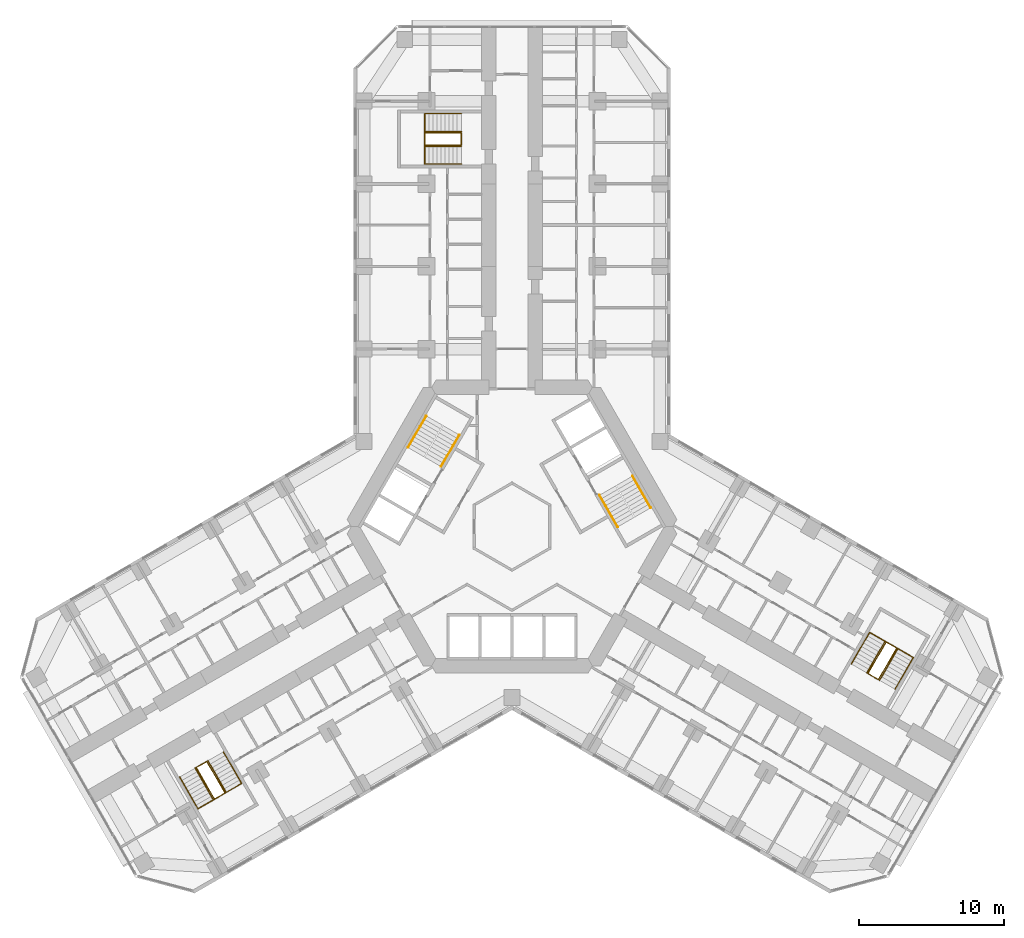
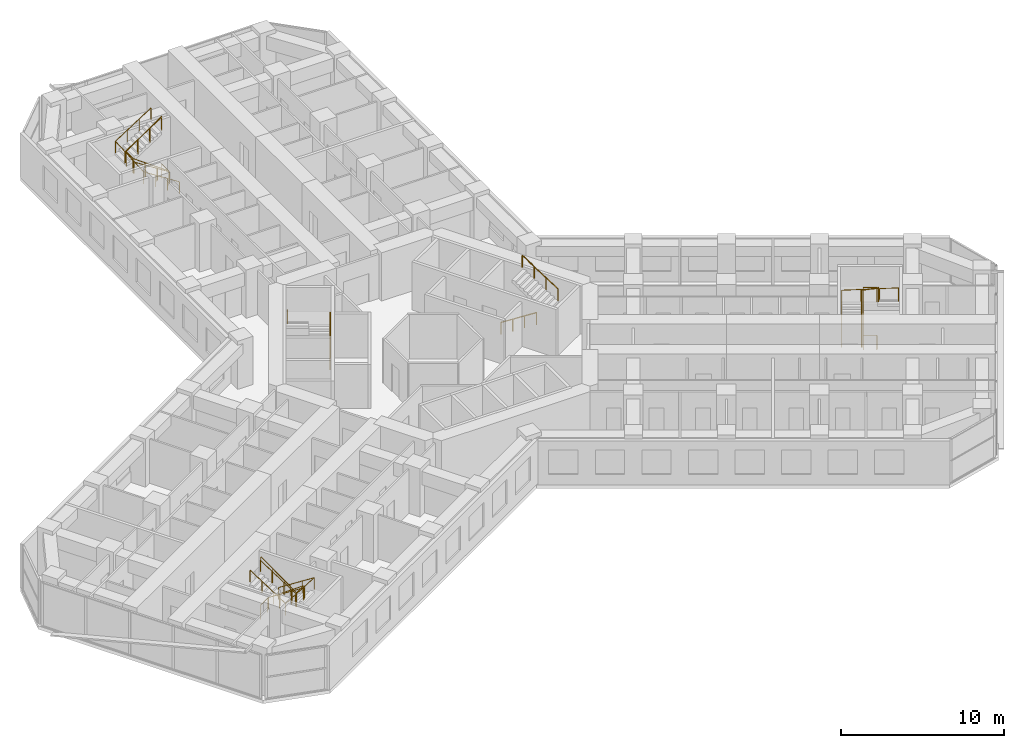
# One storey, part 21 of 21: 13 railings.
"""IFC4 building model written with IfcOpenShell, lengths in metres."""

from ifc_helpers import new_model, si_unit, direction, frame, origin, origin_2d, place, context, subcontext, project, spatial, circle, extrude, material, type_object, element, save


model = new_model("IFC4")

# Units and contexts
model_context = context("Model", 3, precision=1e-05, world=origin(), true_north=direction((0.0, 1.0)))
body_context = subcontext(model_context, "Body", "Model", "MODEL_VIEW")
ifc_project = project(units=[si_unit("LENGTHUNIT", "METRE"), si_unit("AREAUNIT", "SQUARE_METRE"), si_unit("VOLUMEUNIT", "CUBIC_METRE"), si_unit("PLANEANGLEUNIT", "RADIAN"), si_unit("MASSUNIT", "GRAM", prefix="KILO")], contexts=[model_context])

# Site, building, storey
site_placement = place(None, origin())
site = spatial("IfcSite", under=ifc_project, at=site_placement, CompositionType="ELEMENT")
building_placement = place(site_placement, origin())
building = spatial("IfcBuilding", under=site, at=building_placement, Name="Kosmar Iwan School Tower", CompositionType="ELEMENT")
storey_placement = place(building_placement, frame((0.0, 0.0, 28.800048828125)))
storey = spatial("IfcBuildingStorey", under=building, at=storey_placement, Name="L06", CompositionType="ELEMENT", Elevation=28.800048828125)

# Railings
ifc_material_1 = material(Name="Black steel", Category="steel")
railing_type_1 = type_object("IfcRailingType", Name="Stair handrail 900", PredefinedType="HANDRAIL", material=ifc_material_1)
railing_1_placement = place(storey_placement, frame((-4.89453125, 4.142333984375, 0.179931640625)))
element("IfcRailing", 1, at=railing_1_placement, inside=storey, type_object=railing_type_1, Name="Handrail ST2 flight 1", PredefinedType="HANDRAIL", context=body_context, shape_type="SweptSolid", body=[
    extrude(circle(Radius=0.02392578125, at=origin_2d()), frame((0.0, 0.0, 0.8759765625), z_axis=(0.420584145978, 0.728463801763, 0.540785970299), x_axis=(-0.866022637375, 0.500004791531, 0.0)), (0.0, 0.0, 1.0), 2.995849609375),
    extrude(circle(Radius=0.02099609375, at=origin_2d()), origin(), (0.0, 0.0, 1.0), 0.851806640625),
    extrude(circle(Radius=0.02099609375, at=origin_2d()), frame((0.419921875, 0.7275390625, 0.5400390625)), (0.0, 0.0, 1.0), 0.851806640625),
    extrude(circle(Radius=0.02099609375, at=origin_2d()), frame((0.840087890625, 1.454833984375, 1.080078125)), (0.0, 0.0, 1.0), 0.851806640625),
    extrude(circle(Radius=0.02099609375, at=origin_2d()), frame((1.260009765625, 2.182373046875, 1.6201171875)), (0.0, 0.0, 1.0), 0.851806640625),
])
railing_2_placement = place(storey_placement, frame((-5.912353515625, 7.6396484375, 1.97998046875)))
element("IfcRailing", 2, at=railing_2_placement, inside=storey, type_object=railing_type_1, Name="Handrail ST2 flight 2", PredefinedType="HANDRAIL", context=body_context, shape_type="SweptSolid", body=[
    extrude(circle(Radius=0.02392578125, at=origin_2d()), frame((0.0, 0.0, 0.8759765625), z_axis=(-0.42060268101, -0.72849590497, 0.54072830624), x_axis=(0.866022637375, -0.500004791531, 0.0)), (0.0, 0.0, 1.0), 2.99560546875),
    extrude(circle(Radius=0.02099609375, at=origin_2d()), origin(), (0.0, 0.0, 1.0), 0.851806640625),
    extrude(circle(Radius=0.02099609375, at=origin_2d()), frame((-0.419921875, -0.7275390625, 0.5400390625)), (0.0, 0.0, 1.0), 0.851806640625),
    extrude(circle(Radius=0.02099609375, at=origin_2d()), frame((-0.840087890625, -1.454833984375, 1.079833984375)), (0.0, 0.0, 1.0), 0.851806640625),
    extrude(circle(Radius=0.02099609375, at=origin_2d()), frame((-1.260009765625, -2.182373046875, 1.619873046875)), (0.0, 0.0, 1.0), 0.851806640625),
])
railing_3_placement = place(storey_placement, frame((6.03466796875, 2.167724609375, 0.179931640625)))
element("IfcRailing", 3, at=railing_3_placement, inside=storey, type_object=railing_type_1, Name="Handrail ST1 flight 1", PredefinedType="HANDRAIL", context=body_context, shape_type="SweptSolid", body=[
    extrude(circle(Radius=0.02392578125, at=origin_2d()), frame((0.0, 0.0, 0.8759765625), z_axis=(0.420584145978, -0.728463801763, 0.540785970299), x_axis=(0.866022637375, 0.500004791531, 0.0)), (0.0, 0.0, 1.0), 2.995849609375),
    extrude(circle(Radius=0.02099609375, at=origin_2d()), origin(), (0.0, 0.0, 1.0), 0.851806640625),
    extrude(circle(Radius=0.02099609375, at=origin_2d()), frame((0.419921875, -0.7275390625, 0.5400390625)), (0.0, 0.0, 1.0), 0.851806640625),
    extrude(circle(Radius=0.02099609375, at=origin_2d()), frame((0.840087890625, -1.454833984375, 1.080078125)), (0.0, 0.0, 1.0), 0.851806640625),
    extrude(circle(Radius=0.02099609375, at=origin_2d()), frame((1.260009765625, -2.182373046875, 1.6201171875)), (0.0, 0.0, 1.0), 0.851806640625),
])
railing_4_placement = place(storey_placement, frame((9.572265625, 1.30029296875, 1.97998046875)))
element("IfcRailing", 4, at=railing_4_placement, inside=storey, type_object=railing_type_1, Name="Handrail ST1 flight 2", PredefinedType="HANDRAIL", context=body_context, shape_type="SweptSolid", body=[
    extrude(circle(Radius=0.02392578125, at=origin_2d()), frame((0.0, 0.0, 0.8759765625), z_axis=(-0.42060268101, 0.72849590497, 0.54072830624), x_axis=(-0.866022637375, -0.500004791531, 0.0)), (0.0, 0.0, 1.0), 2.99560546875),
    extrude(circle(Radius=0.02099609375, at=origin_2d()), origin(), (0.0, 0.0, 1.0), 0.851806640625),
    extrude(circle(Radius=0.02099609375, at=origin_2d()), frame((-0.419921875, 0.7275390625, 0.5400390625)), (0.0, 0.0, 1.0), 0.851806640625),
    extrude(circle(Radius=0.02099609375, at=origin_2d()), frame((-0.840087890625, 1.454833984375, 1.079833984375)), (0.0, 0.0, 1.0), 0.851806640625),
    extrude(circle(Radius=0.02099609375, at=origin_2d()), frame((-1.260009765625, 2.182373046875, 1.619873046875)), (0.0, 0.0, 1.0), 0.851806640625),
])
railing_5_placement = place(storey_placement, frame((-3.5, 25.010009765625, 0.179931640625)))
element("IfcRailing", 5, at=railing_5_placement, inside=storey, type_object=railing_type_1, Name="Handrail stair WS1 L06 wall side", PredefinedType="HANDRAIL", context=body_context, shape_type="SweptSolid", body=[
    extrude(circle(Radius=0.02392578125, at=origin_2d()), frame((0.0, 0.0, 0.8759765625), z_axis=(-0.841162588446, 0.0, 0.540782303519), x_axis=(0.0, -1.0, 0.0)), (0.0, 0.0, 1.0), 2.995849609375),
    extrude(circle(Radius=0.02392578125, at=origin_2d()), frame((-2.52001953125, 0.0, 2.49609375), z_axis=(0.0, 0.998665981786, 0.051635809497), x_axis=(-1.0, 0.0, 0.0)), (0.0, 0.0, 1.0), 3.484619140625),
    extrude(circle(Radius=0.02392578125, at=origin_2d()), frame((-2.52001953125, 3.47998046875, 2.67578125), z_axis=(0.841199657755, 0.0, 0.540724639528), x_axis=(0.0, 1.0, 0.0)), (0.0, 0.0, 1.0), 2.995849609375),
    extrude(circle(Radius=0.02099609375, at=origin_2d()), origin(), (0.0, 0.0, 1.0), 0.851806640625),
    extrude(circle(Radius=0.02099609375, at=origin_2d()), frame((-0.840087890625, 0.0, 0.5400390625)), (0.0, 0.0, 1.0), 0.851806640625),
    extrude(circle(Radius=0.02099609375, at=origin_2d()), frame((-1.679931640625, 0.0, 1.080078125)), (0.0, 0.0, 1.0), 0.851806640625),
    extrude(circle(Radius=0.02099609375, at=origin_2d()), frame((-2.52001953125, 0.0, 1.6201171875)), (0.0, 0.0, 1.0), 0.851806640625),
    extrude(circle(Radius=0.02099609375, at=origin_2d()), frame((-2.52001953125, 1.159912109375, 1.68017578125)), (0.0, 0.0, 1.0), 0.851806640625),
    extrude(circle(Radius=0.02099609375, at=origin_2d()), frame((-2.52001953125, 2.320068359375, 1.739990234375)), (0.0, 0.0, 1.0), 0.851806640625),
    extrude(circle(Radius=0.02099609375, at=origin_2d()), frame((-2.52001953125, 3.47998046875, 1.800048828125)), (0.0, 0.0, 1.0), 0.851806640625),
    extrude(circle(Radius=0.02099609375, at=origin_2d()), frame((-1.679931640625, 3.47998046875, 2.340087890625)), (0.0, 0.0, 1.0), 0.851806640625),
    extrude(circle(Radius=0.02099609375, at=origin_2d()), frame((-0.840087890625, 3.47998046875, 2.8798828125)), (0.0, 0.0, 1.0), 0.851806640625),
    extrude(circle(Radius=0.02099609375, at=origin_2d()), frame((0.0, 3.47998046875, 3.419921875)), (0.0, 0.0, 1.0), 0.851806640625),
])
railing_6_placement = place(storey_placement, frame((-3.5, 26.239990234375, 0.179931640625)))
element("IfcRailing", 6, at=railing_6_placement, inside=storey, type_object=railing_type_1, Name="Handrail stair WS1 L06 well side", PredefinedType="HANDRAIL", context=body_context, shape_type="SweptSolid", body=[
    extrude(circle(Radius=0.02392578125, at=origin_2d()), frame((0.0, 0.0, 0.8759765625), z_axis=(-0.841162588446, 0.0, 0.540782303519), x_axis=(0.0, -1.0, 0.0)), (0.0, 0.0, 1.0), 2.995849609375),
    extrude(circle(Radius=0.02392578125, at=origin_2d()), frame((-2.52001953125, 0.0, 2.49609375), z_axis=(0.0, 0.984795421109, 0.173718100851), x_axis=(-1.0, 0.0, 0.0)), (0.0, 0.0, 1.0), 1.035888671875),
    extrude(circle(Radius=0.02392578125, at=origin_2d()), frame((-2.52001953125, 1.02001953125, 2.67578125), z_axis=(0.841199657755, 0.0, 0.540724639528), x_axis=(0.0, 1.0, 0.0)), (0.0, 0.0, 1.0), 2.995849609375),
    extrude(circle(Radius=0.02099609375, at=origin_2d()), origin(), (0.0, 0.0, 1.0), 0.851806640625),
    extrude(circle(Radius=0.02099609375, at=origin_2d()), frame((-0.840087890625, 0.0, 0.5400390625)), (0.0, 0.0, 1.0), 0.851806640625),
    extrude(circle(Radius=0.02099609375, at=origin_2d()), frame((-1.679931640625, 0.0, 1.080078125)), (0.0, 0.0, 1.0), 0.851806640625),
    extrude(circle(Radius=0.02099609375, at=origin_2d()), frame((-2.52001953125, 0.0, 1.6201171875)), (0.0, 0.0, 1.0), 0.851806640625),
    extrude(circle(Radius=0.02099609375, at=origin_2d()), frame((-2.52001953125, 1.02001953125, 1.800048828125)), (0.0, 0.0, 1.0), 0.851806640625),
    extrude(circle(Radius=0.02099609375, at=origin_2d()), frame((-1.679931640625, 1.02001953125, 2.340087890625)), (0.0, 0.0, 1.0), 0.851806640625),
    extrude(circle(Radius=0.02099609375, at=origin_2d()), frame((-0.840087890625, 1.02001953125, 2.8798828125)), (0.0, 0.0, 1.0), 0.851806640625),
    extrude(circle(Radius=0.02099609375, at=origin_2d()), frame((0.0, 1.02001953125, 3.419921875)), (0.0, 0.0, 1.0), 0.851806640625),
])
railing_7_placement = place(storey_placement, frame((-19.9091796875, -15.5361328125, 0.179931640625)))
element("IfcRailing", 7, at=railing_7_placement, inside=storey, type_object=railing_type_1, Name="Handrail stair WS2 L06 wall side", PredefinedType="HANDRAIL", context=body_context, shape_type="SweptSolid", body=[
    extrude(circle(Radius=0.02392578125, at=origin_2d()), frame((0.0, 0.0, 0.8759765625), z_axis=(0.420517065106, -0.728488768407, 0.540804504659), x_axis=(0.866064587494, 0.499932125682, 0.0)), (0.0, 0.0, 1.0), 2.995849609375),
    extrude(circle(Radius=0.02392578125, at=origin_2d()), frame((1.259765625, -2.182373046875, 2.49609375), z_axis=(-0.864864352349, -0.499342858003, 0.051636829851), x_axis=(0.500009906705, -0.86601968407, 0.0)), (0.0, 0.0, 1.0), 3.484619140625),
    extrude(circle(Radius=0.02392578125, at=origin_2d()), frame((-1.75390625, -3.92236328125, 2.67578125), z_axis=(-0.42060268101, 0.72849590497, 0.54072830624), x_axis=(-0.866022637375, -0.500004791531, 0.0)), (0.0, 0.0, 1.0), 2.99560546875),
    extrude(circle(Radius=0.02099609375, at=origin_2d()), origin(), (0.0, 0.0, 1.0), 0.851806640625),
    extrude(circle(Radius=0.02099609375, at=origin_2d()), frame((0.419921875, -0.7275390625, 0.5400390625)), (0.0, 0.0, 1.0), 0.851806640625),
    extrude(circle(Radius=0.02099609375, at=origin_2d()), frame((0.83984375, -1.454833984375, 1.080078125)), (0.0, 0.0, 1.0), 0.851806640625),
    extrude(circle(Radius=0.02099609375, at=origin_2d()), frame((1.259765625, -2.182373046875, 1.6201171875)), (0.0, 0.0, 1.0), 0.851806640625),
    extrude(circle(Radius=0.02099609375, at=origin_2d()), frame((0.255126953125, -2.762451171875, 1.68017578125)), (0.0, 0.0, 1.0), 0.851806640625),
    extrude(circle(Radius=0.02099609375, at=origin_2d()), frame((-0.749267578125, -3.34228515625, 1.739990234375)), (0.0, 0.0, 1.0), 0.851806640625),
    extrude(circle(Radius=0.02099609375, at=origin_2d()), frame((-1.75390625, -3.92236328125, 1.800048828125)), (0.0, 0.0, 1.0), 0.851806640625),
    extrude(circle(Radius=0.02099609375, at=origin_2d()), frame((-2.173828125, -3.19482421875, 2.340087890625)), (0.0, 0.0, 1.0), 0.851806640625),
    extrude(circle(Radius=0.02099609375, at=origin_2d()), frame((-2.593994140625, -2.467529296875, 2.8798828125)), (0.0, 0.0, 1.0), 0.851806640625),
    extrude(circle(Radius=0.02099609375, at=origin_2d()), frame((-3.013916015625, -1.739990234375, 3.419921875)), (0.0, 0.0, 1.0), 0.851806640625),
])
railing_8_placement = place(storey_placement, frame((-20.974609375, -16.151123046875, 0.179931640625)))
element("IfcRailing", 8, at=railing_8_placement, inside=storey, type_object=railing_type_1, Name="Handrail stair WS2 L06 well side", PredefinedType="HANDRAIL", context=body_context, shape_type="SweptSolid", body=[
    extrude(circle(Radius=0.02392578125, at=origin_2d()), frame((0.0, 0.0, 0.8759765625), z_axis=(0.420584145978, -0.728463801763, 0.540785970299), x_axis=(0.866022637375, 0.500004791531, 0.0)), (0.0, 0.0, 1.0), 2.995849609375),
    extrude(circle(Radius=0.02392578125, at=origin_2d()), frame((1.260009765625, -2.182373046875, 2.49609375), z_axis=(-0.852841519511, -0.492422867401, 0.173726976197), x_axis=(0.500026340207, -0.866010195725, 0.0)), (0.0, 0.0, 1.0), 1.03564453125),
    extrude(circle(Radius=0.02392578125, at=origin_2d()), frame((0.376708984375, -2.6923828125, 2.67578125), z_axis=(-0.42060268101, 0.72849590497, 0.54072830624), x_axis=(-0.866022637375, -0.500004791531, 0.0)), (0.0, 0.0, 1.0), 2.99560546875),
    extrude(circle(Radius=0.02099609375, at=origin_2d()), origin(), (0.0, 0.0, 1.0), 0.851806640625),
    extrude(circle(Radius=0.02099609375, at=origin_2d()), frame((0.419921875, -0.7275390625, 0.5400390625)), (0.0, 0.0, 1.0), 0.851806640625),
    extrude(circle(Radius=0.02099609375, at=origin_2d()), frame((0.840087890625, -1.454833984375, 1.080078125)), (0.0, 0.0, 1.0), 0.851806640625),
    extrude(circle(Radius=0.02099609375, at=origin_2d()), frame((1.260009765625, -2.182373046875, 1.6201171875)), (0.0, 0.0, 1.0), 0.851806640625),
    extrude(circle(Radius=0.02099609375, at=origin_2d()), frame((0.376708984375, -2.6923828125, 1.800048828125)), (0.0, 0.0, 1.0), 0.851806640625),
    extrude(circle(Radius=0.02099609375, at=origin_2d()), frame((-0.043212890625, -1.96484375, 2.340087890625)), (0.0, 0.0, 1.0), 0.851806640625),
    extrude(circle(Radius=0.02099609375, at=origin_2d()), frame((-0.46337890625, -1.237548828125, 2.8798828125)), (0.0, 0.0, 1.0), 0.851806640625),
    extrude(circle(Radius=0.02099609375, at=origin_2d()), frame((-0.88330078125, -0.510009765625, 3.419921875)), (0.0, 0.0, 1.0), 0.851806640625),
])
railing_9_placement = place(storey_placement, frame((23.4091796875, -9.473876953125, 0.179931640625)))
element("IfcRailing", 9, at=railing_9_placement, inside=storey, type_object=railing_type_1, Name="Handrail stair WS3 L06 wall side", PredefinedType="HANDRAIL", context=body_context, shape_type="SweptSolid", body=[
    extrude(circle(Radius=0.02392578125, at=origin_2d()), frame((0.0, 0.0, 0.8759765625), z_axis=(0.420584145978, 0.728463801763, 0.540785970299), x_axis=(-0.866022637375, 0.500004791531, 0.0)), (0.0, 0.0, 1.0), 2.995849609375),
    extrude(circle(Radius=0.02392578125, at=origin_2d()), frame((1.260009765625, 2.182373046875, 2.49609375), z_axis=(0.864882007433, -0.499312601618, 0.051633701051), x_axis=(0.499979528911, 0.866037222451, 0.0)), (0.0, 0.0, 1.0), 3.48486328125),
    extrude(circle(Radius=0.02392578125, at=origin_2d()), frame((4.27392578125, 0.4423828125, 2.67578125), z_axis=(-0.42060268101, -0.72849590497, 0.54072830624), x_axis=(0.866022637375, -0.500004791531, 0.0)), (0.0, 0.0, 1.0), 2.99560546875),
    extrude(circle(Radius=0.02099609375, at=origin_2d()), origin(), (0.0, 0.0, 1.0), 0.851806640625),
    extrude(circle(Radius=0.02099609375, at=origin_2d()), frame((0.419921875, 0.7275390625, 0.5400390625)), (0.0, 0.0, 1.0), 0.851806640625),
    extrude(circle(Radius=0.02099609375, at=origin_2d()), frame((0.840087890625, 1.454833984375, 1.080078125)), (0.0, 0.0, 1.0), 0.851806640625),
    extrude(circle(Radius=0.02099609375, at=origin_2d()), frame((1.260009765625, 2.182373046875, 1.6201171875)), (0.0, 0.0, 1.0), 0.851806640625),
    extrude(circle(Radius=0.02099609375, at=origin_2d()), frame((2.2646484375, 1.602294921875, 1.68017578125)), (0.0, 0.0, 1.0), 0.851806640625),
    extrude(circle(Radius=0.02099609375, at=origin_2d()), frame((3.269287109375, 1.0224609375, 1.739990234375)), (0.0, 0.0, 1.0), 0.851806640625),
    extrude(circle(Radius=0.02099609375, at=origin_2d()), frame((4.27392578125, 0.4423828125, 1.800048828125)), (0.0, 0.0, 1.0), 0.851806640625),
    extrude(circle(Radius=0.02099609375, at=origin_2d()), frame((3.85400390625, -0.28515625, 2.340087890625)), (0.0, 0.0, 1.0), 0.851806640625),
    extrude(circle(Radius=0.02099609375, at=origin_2d()), frame((3.433837890625, -1.012451171875, 2.8798828125)), (0.0, 0.0, 1.0), 0.851806640625),
    extrude(circle(Radius=0.02099609375, at=origin_2d()), frame((3.013916015625, -1.739990234375, 3.419921875)), (0.0, 0.0, 1.0), 0.851806640625),
])
railing_10_placement = place(storey_placement, frame((24.474609375, -10.0888671875, 0.179931640625)))
element("IfcRailing", 10, at=railing_10_placement, inside=storey, type_object=railing_type_1, Name="Handrail stair WS3 L06 well side", PredefinedType="HANDRAIL", context=body_context, shape_type="SweptSolid", body=[
    extrude(circle(Radius=0.02392578125, at=origin_2d()), frame((0.0, 0.0, 0.8759765625), z_axis=(0.420584145978, 0.728463801763, 0.540785970299), x_axis=(-0.866022637375, 0.500004791531, 0.0)), (0.0, 0.0, 1.0), 2.995849609375),
    extrude(circle(Radius=0.02392578125, at=origin_2d()), frame((1.260009765625, 2.182373046875, 2.49609375), z_axis=(0.852841519511, -0.492422867401, 0.173726976197), x_axis=(0.500026340207, 0.866010195725, 0.0)), (0.0, 0.0, 1.0), 1.03564453125),
    extrude(circle(Radius=0.02392578125, at=origin_2d()), frame((2.143310546875, 1.67236328125, 2.67578125), z_axis=(-0.42060268101, -0.72849590497, 0.54072830624), x_axis=(0.866022637375, -0.500004791531, 0.0)), (0.0, 0.0, 1.0), 2.99560546875),
    extrude(circle(Radius=0.02099609375, at=origin_2d()), origin(), (0.0, 0.0, 1.0), 0.851806640625),
    extrude(circle(Radius=0.02099609375, at=origin_2d()), frame((0.419921875, 0.7275390625, 0.5400390625)), (0.0, 0.0, 1.0), 0.851806640625),
    extrude(circle(Radius=0.02099609375, at=origin_2d()), frame((0.840087890625, 1.454833984375, 1.080078125)), (0.0, 0.0, 1.0), 0.851806640625),
    extrude(circle(Radius=0.02099609375, at=origin_2d()), frame((1.260009765625, 2.182373046875, 1.6201171875)), (0.0, 0.0, 1.0), 0.851806640625),
    extrude(circle(Radius=0.02099609375, at=origin_2d()), frame((2.143310546875, 1.67236328125, 1.800048828125)), (0.0, 0.0, 1.0), 0.851806640625),
    extrude(circle(Radius=0.02099609375, at=origin_2d()), frame((1.723388671875, 0.94482421875, 2.340087890625)), (0.0, 0.0, 1.0), 0.851806640625),
    extrude(circle(Radius=0.02099609375, at=origin_2d()), frame((1.30322265625, 0.217529296875, 2.8798828125)), (0.0, 0.0, 1.0), 0.851806640625),
    extrude(circle(Radius=0.02099609375, at=origin_2d()), frame((0.88330078125, -0.510009765625, 3.419921875)), (0.0, 0.0, 1.0), 0.851806640625),
])
ifc_material_2 = material(Name="Black steel", Category="steel")
railing_type_2 = type_object("IfcRailingType", Name="Stair well guard 1100", PredefinedType="GUARDRAIL", material=ifc_material_2)
railing_11_placement = place(storey_placement, frame((-3.5, 27.169921875, 0.0)))
element("IfcRailing", 11, at=railing_11_placement, inside=storey, type_object=railing_type_2, Name="Stair WS1 L06 well guard", PredefinedType="GUARDRAIL", context=body_context, shape_type="SweptSolid", body=[
    extrude(circle(Radius=0.02392578125, at=origin_2d()), frame((0.0, 0.0, 1.076171875), z_axis=(0.0, -1.0, 0.0), x_axis=(1.0, 0.0, 0.0)), (0.0, 0.0, 1.0), 0.83984375),
    extrude(circle(Radius=0.02392578125, at=origin_2d()), frame((0.0, -0.83984375, 1.076171875), z_axis=(-0.813728144527, 0.0, 0.581245650998), x_axis=(0.0, -1.0, 0.0)), (0.0, 0.0, 1.0), 3.096923828125),
    extrude(circle(Radius=0.02392578125, at=origin_2d()), frame((-2.52001953125, -0.83984375, 2.8759765625), z_axis=(0.0, 1.0, 0.0), x_axis=(-1.0, 0.0, 0.0)), (0.0, 0.0, 1.0), 0.83984375),
    extrude(circle(Radius=0.02392578125, at=origin_2d()), frame((-2.52001953125, 0.0, 2.8759765625), z_axis=(0.813765431312, 0.0, 0.581193446971), x_axis=(0.0, 1.0, 0.0)), (0.0, 0.0, 1.0), 3.0966796875),
    extrude(circle(Radius=0.02099609375, at=origin_2d()), origin(), (0.0, 0.0, 1.0), 1.052001953125),
    extrude(circle(Radius=0.02099609375, at=origin_2d()), frame((0.0, -0.83984375, 0.0)), (0.0, 0.0, 1.0), 1.052001953125),
    extrude(circle(Radius=0.02099609375, at=origin_2d()), frame((-0.840087890625, -0.83984375, 0.60009765625)), (0.0, 0.0, 1.0), 1.052001953125),
    extrude(circle(Radius=0.02099609375, at=origin_2d()), frame((-1.679931640625, -0.83984375, 1.199951171875)), (0.0, 0.0, 1.0), 1.052001953125),
    extrude(circle(Radius=0.02099609375, at=origin_2d()), frame((-2.52001953125, -0.83984375, 1.800048828125)), (0.0, 0.0, 1.0), 1.052001953125),
    extrude(circle(Radius=0.02099609375, at=origin_2d()), frame((-2.52001953125, 0.0, 1.800048828125)), (0.0, 0.0, 1.0), 1.052001953125),
    extrude(circle(Radius=0.02099609375, at=origin_2d()), frame((-1.679931640625, 0.0, 2.39990234375)), (0.0, 0.0, 1.0), 1.052001953125),
    extrude(circle(Radius=0.02099609375, at=origin_2d()), frame((-0.840087890625, 0.0, 3.0)), (0.0, 0.0, 1.0), 1.052001953125),
    extrude(circle(Radius=0.02099609375, at=origin_2d()), frame((0.0, 0.0, 3.599853515625)), (0.0, 0.0, 1.0), 1.052001953125),
])
railing_12_placement = place(storey_placement, frame((-21.780029296875, -16.6162109375, 0.0)))
element("IfcRailing", 12, at=railing_12_placement, inside=storey, type_object=railing_type_2, Name="Stair WS2 L06 well guard", PredefinedType="GUARDRAIL", context=body_context, shape_type="SweptSolid", body=[
    extrude(circle(Radius=0.02392578125, at=origin_2d()), frame((0.0, 0.0, 1.076171875), z_axis=(0.865962960534, 0.500108139288, 0.0), x_axis=(-0.500108139288, 0.865962960534, 0.0)), (0.0, 0.0, 1.0), 0.840087890625),
    extrude(circle(Radius=0.02392578125, at=origin_2d()), frame((0.7275390625, 0.420166015625, 1.076171875), z_axis=(0.40686665399, -0.704704712268, 0.58124933925), x_axis=(0.866022637375, 0.500004791531, 0.0)), (0.0, 0.0, 1.0), 3.096923828125),
    extrude(circle(Radius=0.02392578125, at=origin_2d()), frame((1.987548828125, -1.76220703125, 2.8759765625), z_axis=(-0.865962960534, -0.500108139288, 0.0), x_axis=(0.500108139288, -0.865962960534, 0.0)), (0.0, 0.0, 1.0), 0.840087890625),
    extrude(circle(Radius=0.02392578125, at=origin_2d()), frame((1.260009765625, -2.182373046875, 2.8759765625), z_axis=(-0.406885297737, 0.704737003773, 0.581197135229), x_axis=(-0.866022637375, -0.500004791531, 0.0)), (0.0, 0.0, 1.0), 3.0966796875),
    extrude(circle(Radius=0.02099609375, at=origin_2d()), origin(), (0.0, 0.0, 1.0), 1.052001953125),
    extrude(circle(Radius=0.02099609375, at=origin_2d()), frame((0.7275390625, 0.420166015625, 0.0)), (0.0, 0.0, 1.0), 1.052001953125),
    extrude(circle(Radius=0.02099609375, at=origin_2d()), frame((1.1474609375, -0.307373046875, 0.60009765625)), (0.0, 0.0, 1.0), 1.052001953125),
    extrude(circle(Radius=0.02099609375, at=origin_2d()), frame((1.567626953125, -1.03466796875, 1.199951171875)), (0.0, 0.0, 1.0), 1.052001953125),
    extrude(circle(Radius=0.02099609375, at=origin_2d()), frame((1.987548828125, -1.76220703125, 1.800048828125)), (0.0, 0.0, 1.0), 1.052001953125),
    extrude(circle(Radius=0.02099609375, at=origin_2d()), frame((1.260009765625, -2.182373046875, 1.800048828125)), (0.0, 0.0, 1.0), 1.052001953125),
    extrude(circle(Radius=0.02099609375, at=origin_2d()), frame((0.840087890625, -1.454833984375, 2.39990234375)), (0.0, 0.0, 1.0), 1.052001953125),
    extrude(circle(Radius=0.02099609375, at=origin_2d()), frame((0.419921875, -0.7275390625, 3.0)), (0.0, 0.0, 1.0), 1.052001953125),
    extrude(circle(Radius=0.02099609375, at=origin_2d()), frame((0.0, 0.0, 3.599853515625)), (0.0, 0.0, 1.0), 1.052001953125),
])
railing_13_placement = place(storey_placement, frame((25.280029296875, -10.553955078125, 0.0)))
element("IfcRailing", 13, at=railing_13_placement, inside=storey, type_object=railing_type_2, Name="Stair WS3 L06 well guard", PredefinedType="GUARDRAIL", context=body_context, shape_type="SweptSolid", body=[
    extrude(circle(Radius=0.02392578125, at=origin_2d()), frame((0.0, 0.0, 1.076171875), z_axis=(-0.865962960534, 0.500108139288, 0.0), x_axis=(-0.500108139288, -0.865962960534, 0.0)), (0.0, 0.0, 1.0), 0.840087890625),
    extrude(circle(Radius=0.02392578125, at=origin_2d()), frame((-0.7275390625, 0.420166015625, 1.076171875), z_axis=(0.40686665399, 0.704704712268, 0.58124933925), x_axis=(-0.866022637375, 0.500004791531, 0.0)), (0.0, 0.0, 1.0), 3.096923828125),
    extrude(circle(Radius=0.02392578125, at=origin_2d()), frame((0.532470703125, 2.6025390625, 2.8759765625), z_axis=(0.865890253765, -0.500234013672, 0.0), x_axis=(0.500234013672, 0.865890253765, 0.0)), (0.0, 0.0, 1.0), 0.83984375),
    extrude(circle(Radius=0.02392578125, at=origin_2d()), frame((1.259765625, 2.182373046875, 2.8759765625), z_axis=(-0.406819508263, -0.704759609372, 0.581215778084), x_axis=(0.866064587494, -0.499932125682, 0.0)), (0.0, 0.0, 1.0), 3.0966796875),
    extrude(circle(Radius=0.02099609375, at=origin_2d()), origin(), (0.0, 0.0, 1.0), 1.052001953125),
    extrude(circle(Radius=0.02099609375, at=origin_2d()), frame((-0.7275390625, 0.420166015625, 0.0)), (0.0, 0.0, 1.0), 1.052001953125),
    extrude(circle(Radius=0.02099609375, at=origin_2d()), frame((-0.3076171875, 1.147705078125, 0.60009765625)), (0.0, 0.0, 1.0), 1.052001953125),
    extrude(circle(Radius=0.02099609375, at=origin_2d()), frame((0.112548828125, 1.875, 1.199951171875)), (0.0, 0.0, 1.0), 1.052001953125),
    extrude(circle(Radius=0.02099609375, at=origin_2d()), frame((0.532470703125, 2.6025390625, 1.800048828125)), (0.0, 0.0, 1.0), 1.052001953125),
    extrude(circle(Radius=0.02099609375, at=origin_2d()), frame((1.259765625, 2.182373046875, 1.800048828125)), (0.0, 0.0, 1.0), 1.052001953125),
    extrude(circle(Radius=0.02099609375, at=origin_2d()), frame((0.83984375, 1.454833984375, 2.39990234375)), (0.0, 0.0, 1.0), 1.052001953125),
    extrude(circle(Radius=0.02099609375, at=origin_2d()), frame((0.419921875, 0.7275390625, 3.0)), (0.0, 0.0, 1.0), 1.052001953125),
    extrude(circle(Radius=0.02099609375, at=origin_2d()), frame((0.0, 0.0, 3.599853515625)), (0.0, 0.0, 1.0), 1.052001953125),
])

save(model, "model.ifc")
